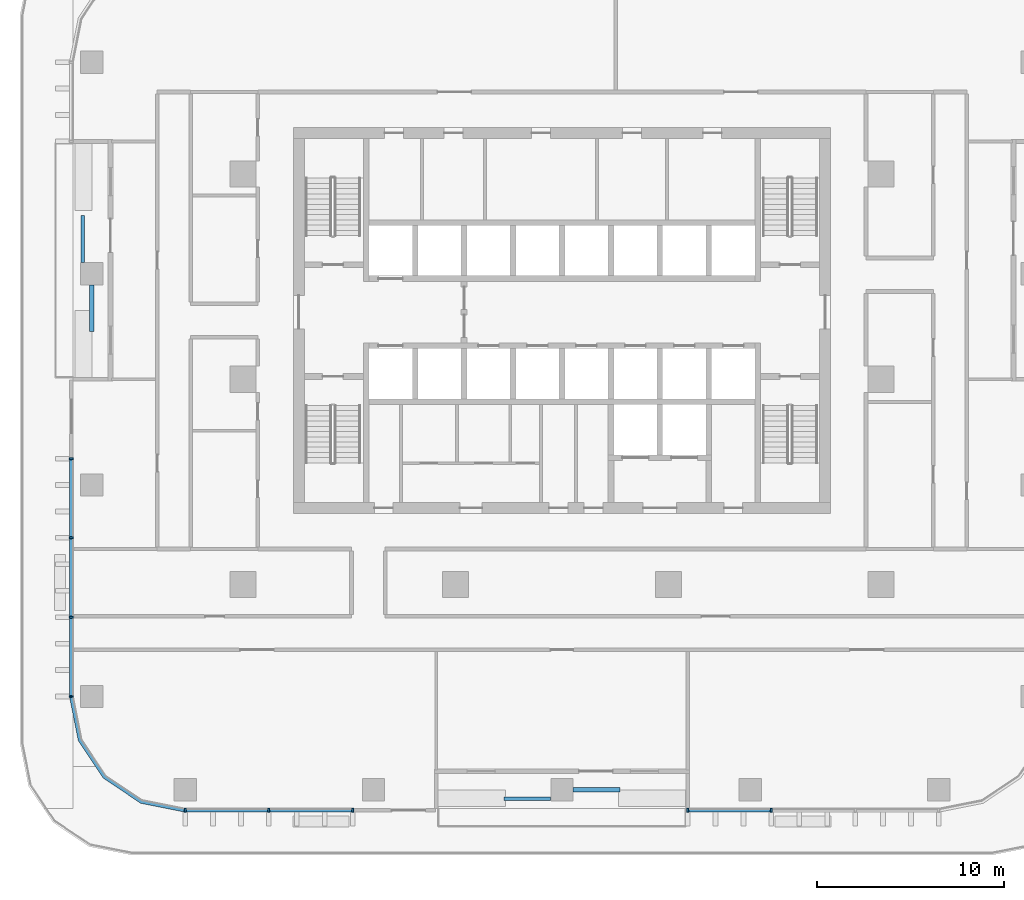
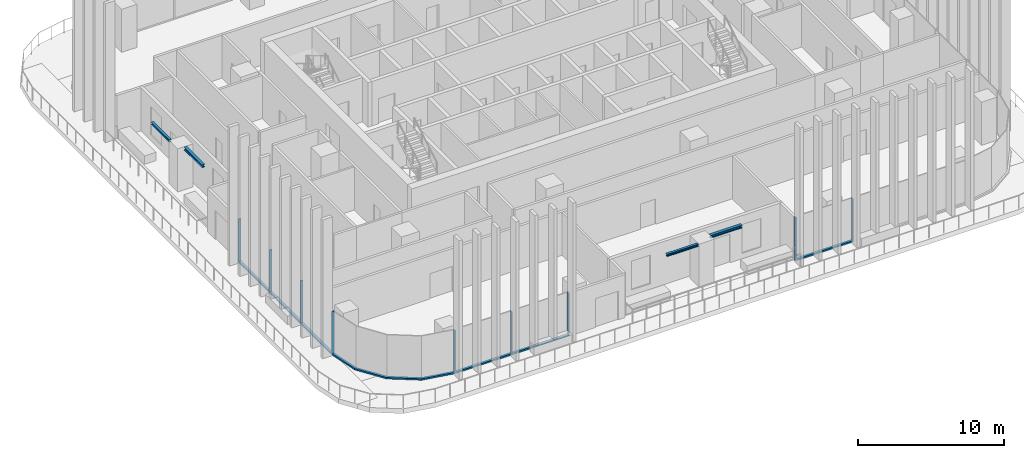
# One storey, part 2 of 16: 16 members, 4 beams, 4 elements without a shape of their own.
"""IFC4 building model written with IfcOpenShell, lengths in metres."""

from ifc_helpers import new_model, si_unit, direction, frame, origin, origin_2d, place, context, subcontext, project, spatial, polyline, rectangle, i_section, outline, extrude, material, material_profile, profile_set, type_object, element, aggregate, save


model = new_model("IFC4")

# Units and contexts
model_context = context("Model", 3, precision=1e-05, world=origin(), true_north=direction((0.0, 1.0)))
body_context = subcontext(model_context, "Body", "Model", "MODEL_VIEW")
ifc_project = project(units=[si_unit("LENGTHUNIT", "METRE"), si_unit("AREAUNIT", "SQUARE_METRE"), si_unit("VOLUMEUNIT", "CUBIC_METRE"), si_unit("PLANEANGLEUNIT", "RADIAN"), si_unit("MASSUNIT", "GRAM", prefix="KILO")], contexts=[model_context])

# Site, building, storey
site_placement = place(None, origin())
site = spatial("IfcSite", under=ifc_project, at=site_placement, CompositionType="ELEMENT")
building_placement = place(site_placement, origin())
building = spatial("IfcBuilding", under=site, at=building_placement, Name="Mopane Tessera Tower", CompositionType="ELEMENT")
storey_placement = place(building_placement, frame((0.0, 0.0, 157.0)))
storey = spatial("IfcBuildingStorey", under=building, at=storey_placement, Name="L31", CompositionType="ELEMENT", Elevation=157.0)

# Curtain wall, members
ifc_material_1 = material(Name="Aluminium frame", Category="aluminium")
curtain_wall_type = type_object("IfcCurtainWallType", Name="Unitised curtain wall", PredefinedType="NOTDEFINED", material=ifc_material_1)
curtain_wall_1_placement = place(storey_placement, origin())
curtain_wall_1 = element("IfcCurtainWall", 1, at=curtain_wall_1_placement, inside=storey, type_object=curtain_wall_type, Name="e:cw:L31:S:0", PredefinedType="NOTDEFINED")
ifc_material_2 = material(Name="Aluminium frame", Category="aluminium")
ifc_material_profile_1 = material_profile(ifc_material_2, rectangle(XDim=0.10009765625, YDim=0.199951171875, at=origin_2d()))
ifc_profile_set_1 = profile_set([ifc_material_profile_1], Name="Aluminium frame")
member_type_1 = type_object("IfcMemberType", Name="Aluminium mullion 100 x 200", PredefinedType="MULLION", material=ifc_profile_set_1)
member_1_placement = place(storey_placement, frame((-20.199951171875, -23.10009765625, 0.0), z_axis=(0.0, 0.0, 1.0), x_axis=(1.0, 0.0, 0.0)))
member_1 = element("IfcMember", 2, at=member_1_placement, type_object=member_type_1, Name="e:cw:L31:S:0:mu0", PredefinedType="MULLION", context=body_context, shape_type="SweptSolid", body=[
    extrude(rectangle(XDim=0.10009765625, YDim=0.199951171875, at=origin_2d()), origin(), (0.0, 0.0, 1.0), 3.60009765625),
])
member_2_placement = place(storey_placement, frame((-15.711181640625, -23.10009765625, 0.0), z_axis=(0.0, 0.0, 1.0), x_axis=(1.0, 0.0, 0.0)))
member_2 = element("IfcMember", 3, at=member_2_placement, type_object=member_type_1, Name="e:cw:L31:S:0:mu1", PredefinedType="MULLION", context=body_context, shape_type="SweptSolid", body=[
    extrude(rectangle(XDim=0.10009765625, YDim=0.199951171875, at=origin_2d()), origin(), (0.0, 0.0, 1.0), 3.60009765625),
])
member_3_placement = place(storey_placement, frame((-11.22216796875, -23.10009765625, 0.0), z_axis=(0.0, 0.0, 1.0), x_axis=(1.0, 0.0, 0.0)))
member_3 = element("IfcMember", 4, at=member_3_placement, type_object=member_type_1, Name="e:cw:L31:S:0:mu2", PredefinedType="MULLION", context=body_context, shape_type="SweptSolid", body=[
    extrude(rectangle(XDim=0.10009765625, YDim=0.199951171875, at=origin_2d()), origin(), (0.0, 0.0, 1.0), 3.60009765625),
])

curtain_wall_2_placement = place(storey_placement, origin())
curtain_wall_2 = element("IfcCurtainWall", 5, at=curtain_wall_2_placement, inside=storey, type_object=curtain_wall_type, Name="e:cw:L31:S:6", PredefinedType="NOTDEFINED")
member_4_placement = place(storey_placement, frame((6.7333984375, -23.10009765625, 0.0), z_axis=(0.0, 0.0, 1.0), x_axis=(1.0, 0.0, 0.0)))
member_4 = element("IfcMember", 6, at=member_4_placement, type_object=member_type_1, Name="e:cw:L31:S:6:mu6", PredefinedType="MULLION", context=body_context, shape_type="SweptSolid", body=[
    extrude(rectangle(XDim=0.10009765625, YDim=0.199951171875, at=origin_2d()), origin(), (0.0, 0.0, 1.0), 3.60009765625),
])
member_5_placement = place(storey_placement, frame((11.22216796875, -23.10009765625, 0.0), z_axis=(0.0, 0.0, 1.0), x_axis=(1.0, 0.0, 0.0)))
member_5 = element("IfcMember", 7, at=member_5_placement, type_object=member_type_1, Name="e:cw:L31:S:6:mu7", PredefinedType="MULLION", context=body_context, shape_type="SweptSolid", body=[
    extrude(rectangle(XDim=0.10009765625, YDim=0.199951171875, at=origin_2d()), origin(), (0.0, 0.0, 1.0), 3.60009765625),
])

curtain_wall_3_placement = place(storey_placement, origin())
curtain_wall_3 = element("IfcCurtainWall", 8, at=curtain_wall_3_placement, inside=storey, type_object=curtain_wall_type, Name="e:cw:L31:W:5", PredefinedType="NOTDEFINED")
member_6_placement = place(storey_placement, frame((-26.300048828125, -4.25, 0.0), z_axis=(0.0, 0.0, 1.0), x_axis=(0.0, -1.0, 0.0)))
member_6 = element("IfcMember", 9, at=member_6_placement, type_object=member_type_1, Name="e:cw:L31:W:5:mu5", PredefinedType="MULLION", context=body_context, shape_type="SweptSolid", body=[
    extrude(rectangle(XDim=0.10009765625, YDim=0.199951171875, at=origin_2d()), origin(), (0.0, 0.0, 1.0), 3.60009765625),
])
member_7_placement = place(storey_placement, frame((-26.300048828125, -8.5, 0.0), z_axis=(0.0, 0.0, 1.0), x_axis=(0.0, -1.0, 0.0)))
member_7 = element("IfcMember", 10, at=member_7_placement, type_object=member_type_1, Name="e:cw:L31:W:5:mu6", PredefinedType="MULLION", context=body_context, shape_type="SweptSolid", body=[
    extrude(rectangle(XDim=0.10009765625, YDim=0.199951171875, at=origin_2d()), origin(), (0.0, 0.0, 1.0), 3.60009765625),
])
member_8_placement = place(storey_placement, frame((-26.300048828125, -12.75, 0.0), z_axis=(0.0, 0.0, 1.0), x_axis=(0.0, -1.0, 0.0)))
member_8 = element("IfcMember", 11, at=member_8_placement, type_object=member_type_1, Name="e:cw:L31:W:5:mu7", PredefinedType="MULLION", context=body_context, shape_type="SweptSolid", body=[
    extrude(rectangle(XDim=0.10009765625, YDim=0.199951171875, at=origin_2d()), origin(), (0.0, 0.0, 1.0), 3.60009765625),
])
member_9_placement = place(storey_placement, frame((-26.300048828125, -17.0, 0.0), z_axis=(0.0, 0.0, 1.0), x_axis=(0.0, -1.0, 0.0)))
member_9 = element("IfcMember", 12, at=member_9_placement, type_object=member_type_1, Name="e:cw:L31:W:5:mu8", PredefinedType="MULLION", context=body_context, shape_type="SweptSolid", body=[
    extrude(rectangle(XDim=0.10009765625, YDim=0.199951171875, at=origin_2d()), origin(), (0.0, 0.0, 1.0), 3.60009765625),
])

# Member
ifc_material_3 = material(Name="Aluminium frame", Category="aluminium")
ifc_material_profile_2 = material_profile(ifc_material_3, rectangle(XDim=0.199951171875, YDim=0.1201171875, at=origin_2d()))
ifc_profile_set_2 = profile_set([ifc_material_profile_2], Name="Aluminium frame")
member_type_2 = type_object("IfcMemberType", Name="Aluminium transom 200 x 120", PredefinedType="USERDEFINED", material=ifc_profile_set_2)
member_10_placement = place(storey_placement, frame((-20.14990234375, -23.10009765625, 0.06005859375), z_axis=(1.0, 0.0, 0.0), x_axis=(0.0, 1.0, 0.0)))
member_10 = element("IfcMember", 13, at=member_10_placement, type_object=member_type_2, Name="e:cw:L31:S:0:tr0", ObjectType="TRANSOM", PredefinedType="USERDEFINED", context=body_context, shape_type="SweptSolid", body=[
    extrude(rectangle(XDim=0.199951171875, YDim=0.1201171875, at=origin_2d()), origin(), (0.0, 0.0, 1.0), 4.388671875),
])

member_11_placement = place(storey_placement, frame((-15.6611328125, -23.10009765625, 0.06005859375), z_axis=(1.0, 0.0, 0.0), x_axis=(0.0, 1.0, 0.0)))
member_11 = element("IfcMember", 14, at=member_11_placement, type_object=member_type_2, Name="e:cw:L31:S:0:tr1", ObjectType="TRANSOM", PredefinedType="USERDEFINED", context=body_context, shape_type="SweptSolid", body=[
    extrude(rectangle(XDim=0.199951171875, YDim=0.1201171875, at=origin_2d()), origin(), (0.0, 0.0, 1.0), 4.388916015625),
])

aggregate(curtain_wall_1, [member_1, member_2, member_3, member_10, member_11])

member_12_placement = place(storey_placement, frame((6.783447265625, -23.10009765625, 0.06005859375), z_axis=(1.0, 0.0, 0.0), x_axis=(0.0, 1.0, 0.0)))
member_12 = element("IfcMember", 15, at=member_12_placement, type_object=member_type_2, Name="e:cw:L31:S:6:tr6", ObjectType="TRANSOM", PredefinedType="USERDEFINED", context=body_context, shape_type="SweptSolid", body=[
    extrude(rectangle(XDim=0.199951171875, YDim=0.1201171875, at=origin_2d()), origin(), (0.0, 0.0, 1.0), 4.388671875),
])

aggregate(curtain_wall_2, [member_4, member_5, member_12])

member_13_placement = place(storey_placement, frame((-26.300048828125, -4.300048828125, 0.06005859375), z_axis=(0.0, -1.0, 0.0), x_axis=(1.0, 0.0, 0.0)))
member_13 = element("IfcMember", 16, at=member_13_placement, type_object=member_type_2, Name="e:cw:L31:W:5:tr5", ObjectType="TRANSOM", PredefinedType="USERDEFINED", context=body_context, shape_type="SweptSolid", body=[
    extrude(rectangle(XDim=0.199951171875, YDim=0.1201171875, at=origin_2d()), origin(), (0.0, 0.0, 1.0), 4.14990234375),
])

member_14_placement = place(storey_placement, frame((-26.300048828125, -8.550048828125, 0.06005859375), z_axis=(0.0, -1.0, 0.0), x_axis=(1.0, 0.0, 0.0)))
member_14 = element("IfcMember", 17, at=member_14_placement, type_object=member_type_2, Name="e:cw:L31:W:5:tr6", ObjectType="TRANSOM", PredefinedType="USERDEFINED", context=body_context, shape_type="SweptSolid", body=[
    extrude(rectangle(XDim=0.199951171875, YDim=0.1201171875, at=origin_2d()), origin(), (0.0, 0.0, 1.0), 4.14990234375),
])

member_15_placement = place(storey_placement, frame((-26.300048828125, -12.800048828125, 0.06005859375), z_axis=(0.0, -1.0, 0.0), x_axis=(1.0, 0.0, 0.0)))
member_15 = element("IfcMember", 18, at=member_15_placement, type_object=member_type_2, Name="e:cw:L31:W:5:tr7", ObjectType="TRANSOM", PredefinedType="USERDEFINED", context=body_context, shape_type="SweptSolid", body=[
    extrude(rectangle(XDim=0.199951171875, YDim=0.1201171875, at=origin_2d()), origin(), (0.0, 0.0, 1.0), 4.14990234375),
])

aggregate(curtain_wall_3, [member_6, member_7, member_8, member_9, member_13, member_14, member_15])

# Curtain wall, member
curtain_wall_4_placement = place(storey_placement, origin())
curtain_wall_4 = element("IfcCurtainWall", 19, at=curtain_wall_4_placement, inside=storey, type_object=curtain_wall_type, Name="e:cw:L31:CW", PredefinedType="NOTDEFINED")
member_16_placement = place(storey_placement, origin())
member_16 = element("IfcMember", 20, at=member_16_placement, type_object=member_type_2, Name="e:cw:L31:CW:tr", ObjectType="TRANSOM", PredefinedType="USERDEFINED", context=body_context, shape_type="SweptSolid", body=[
    extrude(outline(polyline([(-26.199951171875, -17.0), (-25.7431640625, -19.296142578125), (-24.442626953125, -21.24267578125), (-22.49609375, -22.543212890625), (-20.199951171875, -23.0), (-20.199951171875, -23.199951171875), (-22.57275390625, -22.72802734375), (-24.583984375, -21.384033203125), (-25.927978515625, -19.37255859375), (-26.39990234375, -17.0), (-26.199951171875, -17.0)])), origin(), (0.0, 0.0, 1.0), 0.1201171875),
])
aggregate(curtain_wall_4, [member_16])

# Beams
ifc_material_4 = material(Name="Structural steel S460", Category="steel")
ifc_material_profile_3 = material_profile(ifc_material_4, i_section(OverallWidth=0.239990234375, OverallDepth=0.239990234375, WebThickness=0.010009765625, FlangeThickness=0.01708984375, FilletRadius=0.02099609375, at=origin_2d()))
ifc_profile_set_3 = profile_set([ifc_material_profile_3], Name="Structural steel S460")
beam_type_1 = type_object("IfcBeamType", Name="Terrace spandrel beam HE 240 B", PredefinedType="SPANDREL", material=ifc_profile_set_3)
for number, where, z_axis, x_axis, name in (
    (21, (-25.199951171875, 5.063720703125, 3.47998046875), (0.0, -1.0, 0.0), (1.0, 0.0, 0.0), "Terrace spandrel beam N1 L32"),
    (22, (0.60302734375, -22.0, 3.47998046875), (1.0, 0.0, 0.0), (0.0, 1.0, 0.0), "Terrace spandrel beam N2 L32"),
):
    element("IfcBeam", number, at=place(storey_placement, frame(where, z_axis=z_axis, x_axis=x_axis)), inside=storey, type_object=beam_type_1, Name=name, PredefinedType="SPANDREL", context=body_context, shape_type="SweptSolid", body=[
        extrude(i_section(OverallWidth=0.239990234375, OverallDepth=0.239990234375, WebThickness=0.010009765625, FlangeThickness=0.01708984375, FilletRadius=0.02099609375, at=origin_2d()), origin(), (0.0, 0.0, 1.0), 2.5),
    ])
ifc_material_5 = material(Name="Structural steel S460", Category="steel")
ifc_material_profile_4 = material_profile(ifc_material_5, i_section(OverallWidth=0.199951171875, OverallDepth=0.199951171875, WebThickness=0.009033203125, FlangeThickness=0.014892578125, FilletRadius=0.01806640625, at=origin_2d()))
ifc_profile_set_4 = profile_set([ifc_material_profile_4], Name="Structural steel S460")
beam_type_2 = type_object("IfcBeamType", Name="Terrace trimmer beam HE 200 B", PredefinedType="BEAM", material=ifc_profile_set_4)
for number, where, z_axis, x_axis, name in (
    (23, (-25.679931640625, 6.269775390625, 3.5), (0.0, 1.0, 0.0), (-1.0, 0.0, 0.0), "Terrace trimmer beam N1 L32"),
    (24, (-0.60302734375, -22.47998046875, 3.5), (-1.0, 0.0, 0.0), (0.0, -1.0, 0.0), "Terrace trimmer beam N2 L32"),
):
    element("IfcBeam", number, at=place(storey_placement, frame(where, z_axis=z_axis, x_axis=x_axis)), inside=storey, type_object=beam_type_2, Name=name, PredefinedType="BEAM", context=body_context, shape_type="SweptSolid", body=[
        extrude(i_section(OverallWidth=0.199951171875, OverallDepth=0.199951171875, WebThickness=0.009033203125, FlangeThickness=0.014892578125, FilletRadius=0.01806640625, at=origin_2d()), origin(), (0.0, 0.0, 1.0), 2.5),
    ])

save(model, "model.ifc")
